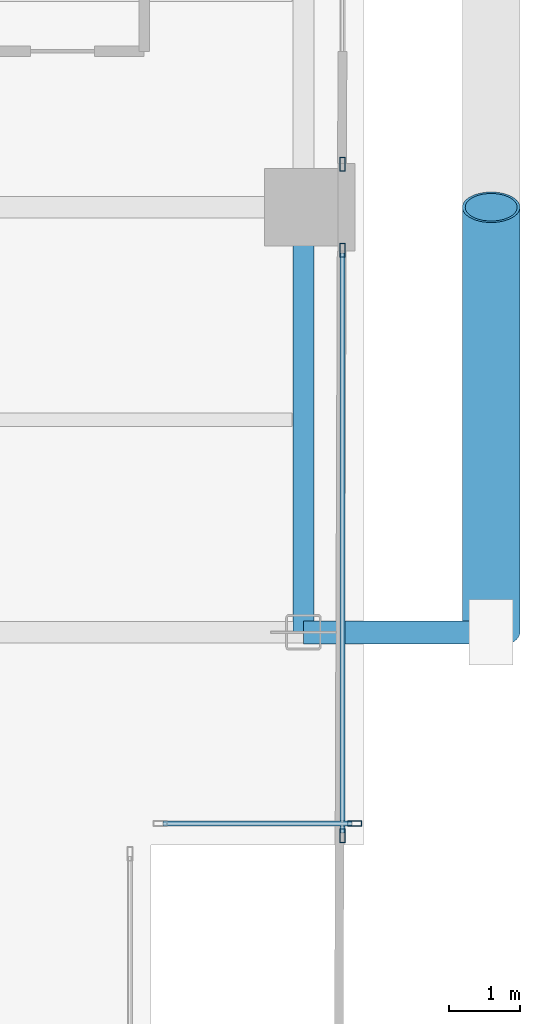
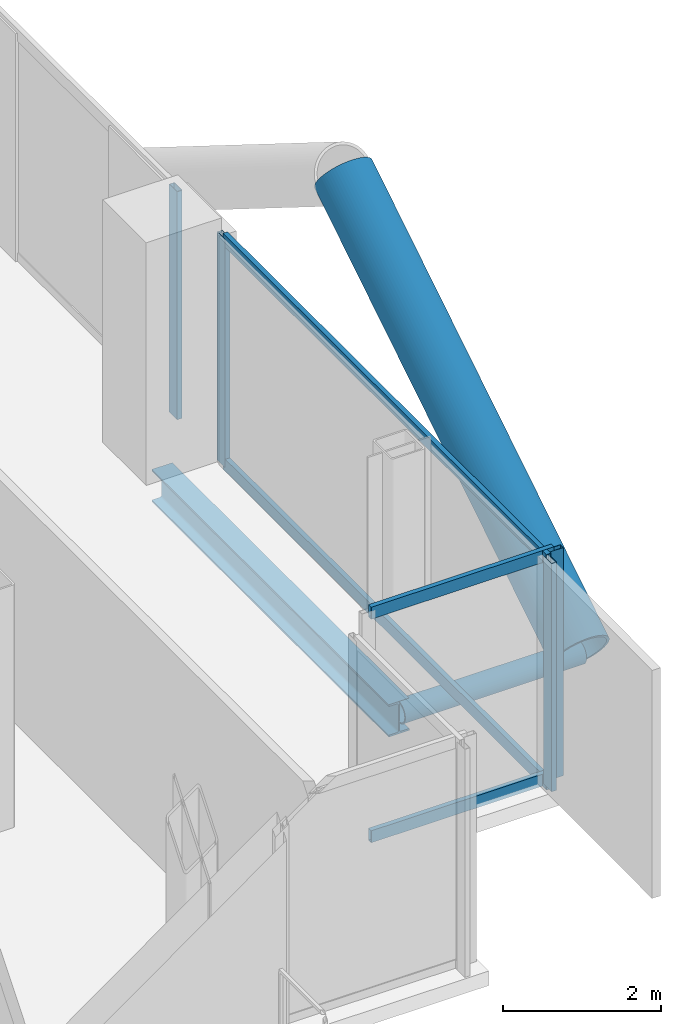
# One storey, part 12 of 28: 10 members, 1 beam, 3 elements without a shape of their own.
"""IFC4 building model written with IfcOpenShell, lengths in metres."""

from ifc_helpers import new_model, si_unit, direction, frame, origin, origin_2d, place, context, subcontext, project, spatial, hollow_rectangle, hollow_circle, i_section, extrude, material, layer, layer_set, material_profile, profile_set, type_object, element, aggregate, save


model = new_model("IFC4")

# Units and contexts
model_context = context("Model", 3, precision=1e-05, world=origin(), true_north=direction((0.0, 1.0)))
body_context = subcontext(model_context, "Body", "Model", "MODEL_VIEW")
ifc_project = project(units=[si_unit("LENGTHUNIT", "METRE"), si_unit("AREAUNIT", "SQUARE_METRE"), si_unit("VOLUMEUNIT", "CUBIC_METRE"), si_unit("PLANEANGLEUNIT", "RADIAN"), si_unit("MASSUNIT", "GRAM", prefix="KILO"), si_unit("THERMODYNAMICTEMPERATUREUNIT", "KELVIN"), si_unit("POWERUNIT", "WATT")], contexts=[model_context])

# Site, building, storey
site_placement = place(None, origin())
site = spatial("IfcSite", under=ifc_project, at=site_placement, CompositionType="ELEMENT")
building_placement = place(site_placement, origin())
building = spatial("IfcBuilding", under=site, at=building_placement, Name="Svarakhadi Broadcast Tower", CompositionType="ELEMENT")
storey_placement = place(building_placement, frame((0.0, 0.0, 103.35009765625)))
storey = spatial("IfcBuildingStorey", under=building, at=storey_placement, Name="L24", CompositionType="ELEMENT", Elevation=103.35009765625)

# Curtain wall, member
ifc_material_1 = material(Name="Anodised Bronze Aluminium AA 6063-T6", Category="aluminium")
ifc_layer = layer(ifc_material_1, 0.199951171875)
ifc_layer_set = layer_set([ifc_layer], Name="Anodised Bronze Aluminium AA 6063-T6")
curtain_wall_type = type_object("IfcCurtainWallType", Name="CW_Sys_03", PredefinedType="NOTDEFINED", material=ifc_layer_set)
curtain_wall_1_placement = place(storey_placement, origin())
curtain_wall_1 = element("IfcCurtainWall", 1, at=curtain_wall_1_placement, inside=storey, type_object=curtain_wall_type, Name="L24 Unitised Facade Curtain Wall 13 Bay 1", PredefinedType="NOTDEFINED")
ifc_material_profile_1 = material_profile(ifc_material_1, hollow_rectangle(XDim=0.074951171875, YDim=0.199951171875, WallThickness=0.005615234375, at=origin_2d()), Name="ALU MULLION 200x75x6")
ifc_profile_set_1 = profile_set([ifc_material_profile_1], Name="Anodised Bronze Aluminium AA 6063-T6")
member_type_1 = type_object("IfcMemberType", Name="CW_Sys_03_Mul", PredefinedType="MULLION", material=ifc_profile_set_1)
member_1_placement = place(storey_placement, frame((47.699951171875, 12.607421875, 0.0), z_axis=(0.0, 0.0, 1.0), x_axis=(1.0, 0.0, 0.0)))
member_1 = element("IfcMember", 2, at=member_1_placement, type_object=member_type_1, Name="CW-03 mullion 2", PredefinedType="MULLION", context=body_context, shape_type="SweptSolid", body=[
    extrude(hollow_rectangle(XDim=0.074951171875, YDim=0.199951171875, WallThickness=0.005615234375, at=origin_2d()), origin(), (0.0, 0.0, 1.0), 3.52490234375),
])
aggregate(curtain_wall_1, [member_1])

# Curtain wall, members
curtain_wall_2_placement = place(storey_placement, origin())
curtain_wall_2 = element("IfcCurtainWall", 3, at=curtain_wall_2_placement, inside=storey, type_object=curtain_wall_type, Name="L24 Unitised Facade Curtain Wall 13 Bay 2", PredefinedType="NOTDEFINED")
member_2_placement = place(storey_placement, frame((47.699951171875, 11.392578125, 0.0), z_axis=(0.0, 0.0, 1.0), x_axis=(1.0, 0.0, 0.0)))
member_2 = element("IfcMember", 4, at=member_2_placement, type_object=member_type_1, Name="CW-03 mullion 1", PredefinedType="MULLION", context=body_context, shape_type="SweptSolid", body=[
    extrude(hollow_rectangle(XDim=0.074951171875, YDim=0.199951171875, WallThickness=0.005615234375, at=origin_2d()), origin(), (0.0, 0.0, 1.0), 3.52490234375),
])
member_3_placement = place(storey_placement, frame((47.699951171875, 3.12744140625, 0.0), z_axis=(0.0, 0.0, 1.0), x_axis=(1.0, 0.0, 0.0)))
member_3 = element("IfcMember", 5, at=member_3_placement, type_object=member_type_1, Name="CW-03 mullion 2", PredefinedType="MULLION", context=body_context, shape_type="SweptSolid", body=[
    extrude(hollow_rectangle(XDim=0.074951171875, YDim=0.199951171875, WallThickness=0.005615234375, at=origin_2d()), origin(), (0.0, 0.0, 1.0), 3.52490234375),
])

# Curtain wall, member
curtain_wall_3_placement = place(storey_placement, origin())
curtain_wall_3 = element("IfcCurtainWall", 6, at=curtain_wall_3_placement, inside=storey, type_object=curtain_wall_type, Name="L24 Unitised Facade Curtain Wall 14", PredefinedType="NOTDEFINED")
member_4_placement = place(storey_placement, frame((47.87255859375, 3.300048828125, 0.0), z_axis=(0.0, 0.0, 1.0), x_axis=(0.0, -1.0, 0.0)))
member_4 = element("IfcMember", 7, at=member_4_placement, type_object=member_type_1, Name="CW-03 mullion 1", PredefinedType="MULLION", context=body_context, shape_type="SweptSolid", body=[
    extrude(hollow_rectangle(XDim=0.074951171875, YDim=0.199951171875, WallThickness=0.005615234375, at=origin_2d()), origin(), (0.0, 0.0, 1.0), 3.52490234375),
])

# Member
ifc_material_profile_2 = material_profile(ifc_material_1, hollow_rectangle(XDim=0.070068359375, YDim=0.18505859375, WallThickness=0.0048828125, at=origin_2d()), Name="ALU TRANSOM 185x70x5")
ifc_profile_set_2 = profile_set([ifc_material_profile_2], Name="Anodised Bronze Aluminium AA 6063-T6")
member_type_2 = type_object("IfcMemberType", Name="CW_Sys_03_Trn", PredefinedType="USERDEFINED", material=ifc_profile_set_2)
member_5_placement = place(storey_placement, frame((47.699951171875, 11.35498046875, 0.034912109375), z_axis=(0.0, -1.0, 0.0), x_axis=(1.0, 0.0, 0.0)))
member_5 = element("IfcMember", 8, at=member_5_placement, type_object=member_type_2, Name="CW-03 transom 1.1", ObjectType="TRANSOM", PredefinedType="USERDEFINED", context=body_context, shape_type="SweptSolid", body=[
    extrude(hollow_rectangle(XDim=0.070068359375, YDim=0.18505859375, WallThickness=0.0048828125, at=origin_2d()), origin(), (0.0, 0.0, 1.0), 8.18994140625),
])

member_6_placement = place(storey_placement, frame((47.699951171875, 11.35498046875, 3.489990234375), z_axis=(0.0, -1.0, 0.0), x_axis=(1.0, 0.0, 0.0)))
member_6 = element("IfcMember", 9, at=member_6_placement, type_object=member_type_2, Name="CW-03 transom 1.2", ObjectType="TRANSOM", PredefinedType="USERDEFINED", context=body_context, shape_type="SweptSolid", body=[
    extrude(hollow_rectangle(XDim=0.070068359375, YDim=0.18505859375, WallThickness=0.0048828125, at=origin_2d()), origin(), (0.0, 0.0, 1.0), 8.18994140625),
])

aggregate(curtain_wall_2, [member_2, member_3, member_5, member_6])

member_7_placement = place(storey_placement, frame((47.8349609375, 3.300048828125, 0.034912109375), z_axis=(-1.0, 0.0, 0.0), x_axis=(0.0, -1.0, 0.0)))
member_7 = element("IfcMember", 10, at=member_7_placement, type_object=member_type_2, Name="CW-03 transom 1.1", ObjectType="TRANSOM", PredefinedType="USERDEFINED", context=body_context, shape_type="SweptSolid", body=[
    extrude(hollow_rectangle(XDim=0.070068359375, YDim=0.18505859375, WallThickness=0.0048828125, at=origin_2d()), origin(), (0.0, 0.0, 1.0), 2.669921875),
])

member_8_placement = place(storey_placement, frame((47.8349609375, 3.300048828125, 3.489990234375), z_axis=(-1.0, 0.0, 0.0), x_axis=(0.0, -1.0, 0.0)))
member_8 = element("IfcMember", 11, at=member_8_placement, type_object=member_type_2, Name="CW-03 transom 1.2", ObjectType="TRANSOM", PredefinedType="USERDEFINED", context=body_context, shape_type="SweptSolid", body=[
    extrude(hollow_rectangle(XDim=0.070068359375, YDim=0.18505859375, WallThickness=0.0048828125, at=origin_2d()), origin(), (0.0, 0.0, 1.0), 2.669921875),
])

aggregate(curtain_wall_3, [member_4, member_7, member_8])

# Members
ifc_material_2 = material(Name="Steel S460ML (IS 2062 E450BR)", Category="steel")
ifc_material_profile_3 = material_profile(ifc_material_2, hollow_circle(Radius=0.406494140625, WallThickness=0.0400390625, at=origin_2d()), Name="CHS 813x40")
ifc_profile_set_3 = profile_set([ifc_material_profile_3], Name="Steel S460ML (IS 2062 E450BR)")
member_type_3 = type_object("IfcMemberType", Name="Exo_Brace_CHS813", PredefinedType="BRACE", material=ifc_profile_set_3)
member_9_placement = place(storey_placement, frame((49.800048828125, 6.0, -0.386962890625), z_axis=(0.0, 0.847998304005, 0.529998940003), x_axis=(-1.0, 0.0, 0.0)))
element("IfcMember", 12, at=member_9_placement, inside=storey, type_object=member_type_3, Name="L24 Exposed Bronze Exoskeleton Diagonal E08", PredefinedType="BRACE", context=body_context, shape_type="SweptSolid", body=[
    extrude(hollow_circle(Radius=0.406494140625, WallThickness=0.0400390625, at=origin_2d()), origin(), (0.0, 0.0, 1.0), 7.075439453125),
])
ifc_material_profile_4 = material_profile(ifc_material_2, hollow_circle(Radius=0.161865234375, WallThickness=0.01611328125, at=origin_2d()), Name="CHS 323.9x16")
ifc_profile_set_4 = profile_set([ifc_material_profile_4], Name="Steel S460ML (IS 2062 E450BR)")
member_type_4 = type_object("IfcMemberType", Name="Exo_Radial_Strut_Z2", PredefinedType="STRUT", material=ifc_profile_set_4)
member_10_placement = place(storey_placement, frame((49.800048828125, 6.0, -0.386962890625), z_axis=(-1.0, 0.0, 0.0), x_axis=(0.0, -1.0, 0.0)))
element("IfcMember", 13, at=member_10_placement, inside=storey, type_object=member_type_4, Name="L24 Exoskeleton Radial Tie Strut E08", PredefinedType="STRUT", context=body_context, shape_type="SweptSolid", body=[
    extrude(hollow_circle(Radius=0.161865234375, WallThickness=0.01611328125, at=origin_2d()), origin(), (0.0, 0.0, 1.0), 2.650146484375),
])

# Beam
ifc_material_3 = material(Name="Steel S355J2 (IS 2062 E350C)", Category="steel")
ifc_material_profile_5 = material_profile(ifc_material_3, i_section(OverallWidth=0.300048828125, OverallDepth=0.5, WebThickness=0.014404296875, FlangeThickness=0.028076171875, FilletRadius=0.027099609375, at=origin_2d()), Name="WPB 500x300x187")
ifc_profile_set_5 = profile_set([ifc_material_profile_5], Name="Steel S355J2 (IS 2062 E350C)")
beam_type = type_object("IfcBeamType", Name="Girder_WPB500", PredefinedType="USERDEFINED", material=ifc_profile_set_5)
beam_placement = place(storey_placement, frame((47.14990234375, 6.0, -0.47509765625), z_axis=(0.0, 1.0, 0.0), x_axis=(-1.0, 0.0, 0.0)))
element("IfcBeam", 14, at=beam_placement, inside=storey, type_object=beam_type, Name="L24 Primary N-S Girder G073", ObjectType="GIRDER", PredefinedType="USERDEFINED", context=body_context, shape_type="SweptSolid", body=[
    extrude(i_section(OverallWidth=0.300048828125, OverallDepth=0.5, WebThickness=0.014404296875, FlangeThickness=0.028076171875, FilletRadius=0.027099609375, at=origin_2d()), origin(), (0.0, 0.0, 1.0), 6.0),
])

save(model, "model.ifc")
